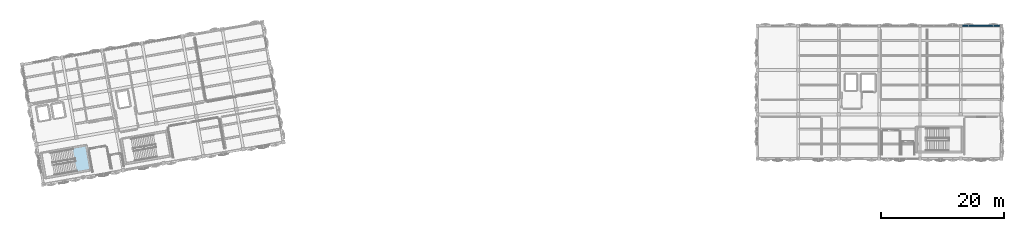
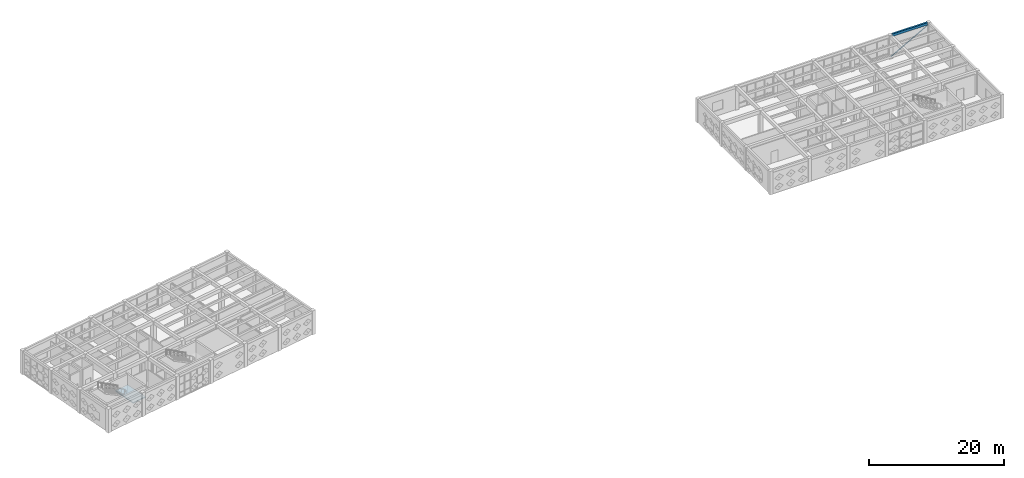
# One storey, part 20 of 36: 1 beam, 1 member, 1 slab, 1 element without a shape of its own.
"""IFC4 building model written with IfcOpenShell, lengths in metres."""

from ifc_helpers import new_model, si_unit, direction, frame, origin, origin_2d, place, context, subcontext, project, spatial, polyline, rectangle, hollow_rectangle, outline, extrude, material, layer, layer_set, material_profile, profile_set, type_object, element, aggregate, save


model = new_model("IFC4")

# Units and contexts
model_context = context("Model", 3, precision=1e-05, world=origin(), true_north=direction((0.0, 1.0)))
body_context = subcontext(model_context, "Body", "Model", "MODEL_VIEW")
ifc_project = project(units=[si_unit("LENGTHUNIT", "METRE"), si_unit("AREAUNIT", "SQUARE_METRE"), si_unit("VOLUMEUNIT", "CUBIC_METRE"), si_unit("PLANEANGLEUNIT", "RADIAN"), si_unit("MASSUNIT", "GRAM", prefix="KILO")], contexts=[model_context])

# Site, building, storey
site_placement = place(None, origin())
site = spatial("IfcSite", under=ifc_project, at=site_placement, CompositionType="ELEMENT")
building_placement = place(site_placement, origin())
building = spatial("IfcBuilding", under=site, at=building_placement, Name="Kharisveld Research Institute", CompositionType="ELEMENT")
storey_placement = place(building_placement, frame((0.0, 0.0, 27.60009765625)))
storey = spatial("IfcBuildingStorey", under=building, at=storey_placement, Name="L06", CompositionType="ELEMENT", Elevation=27.60009765625)

# Member
ifc_material_1 = material(Name="Steel S355J2H", Category="steel")
ifc_material_profile_1 = material_profile(ifc_material_1, hollow_rectangle(XDim=0.1201171875, YDim=0.1201171875, WallThickness=0.00634765625, at=origin_2d()))
ifc_profile_set_1 = profile_set([ifc_material_profile_1], Name="Steel S355J2H")
member_type = type_object("IfcMemberType", Name="BR_SHS120", PredefinedType="BRACE", material=ifc_profile_set_1)
member_placement = place(storey_placement, frame((154.300048828125, 60.800048828125, 0.199951171875), z_axis=(0.87447337202, 0.0, 0.485073521879), x_axis=(0.0, 1.0, 0.0)))
element("IfcMember", 1, at=member_placement, inside=storey, type_object=member_type, Name="MEM:V2:L06:BR_6_3", PredefinedType="BRACE", context=body_context, shape_type="SweptSolid", body=[
    extrude(hollow_rectangle(XDim=0.1201171875, YDim=0.1201171875, WallThickness=0.00634765625, at=origin_2d()), origin(), (0.0, 0.0, 1.0), 7.318603515625),
])

# Beam
ifc_material_2 = material(Name="Concrete C40/50", Category="concrete")
ifc_material_profile_2 = material_profile(ifc_material_2, rectangle(XDim=0.300048828125, YDim=0.449951171875, at=origin_2d()))
ifc_profile_set_2 = profile_set([ifc_material_profile_2], Name="Concrete C40/50")
beam_type = type_object("IfcBeamType", Name="SP_RC_300x450", PredefinedType="SPANDREL", material=ifc_profile_set_2)
beam_placement = place(storey_placement, frame((154.47509765625, 60.800048828125, 4.074951171875), z_axis=(1.0, 0.0, 0.0), x_axis=(0.0, 1.0, 0.0)))
element("IfcBeam", 2, at=beam_placement, inside=storey, type_object=beam_type, Name="BM:V2:L06:U6_3", PredefinedType="SPANDREL", context=body_context, shape_type="SweptSolid", body=[
    extrude(rectangle(XDim=0.300048828125, YDim=0.449951171875, at=origin_2d()), origin(), (0.0, 0.0, 1.0), 6.0498046875),
])

# Stair, slab
ifc_material_3 = material(Name="Concrete C40/50", Category="concrete")
stair_type = type_object("IfcStairType", Name="ST_EXIT_170", PredefinedType="TWO_STRAIGHT_RUN_STAIR", material=ifc_material_3)
stair_placement = place(storey_placement, origin())
stair = element("IfcStair", 3, at=stair_placement, inside=storey, type_object=stair_type, Name="STR:ST1:L06", PredefinedType="TWO_STRAIGHT_RUN_STAIR")
ifc_material_4 = material(Name="Concrete C40/50", Category="concrete")
ifc_layer = layer(ifc_material_4, 0.179931640625)
ifc_layer_set = layer_set([ifc_layer], Name="SL_LND_180")
slab_type = type_object("IfcSlabType", Name="SL_LND_180", PredefinedType="LANDING", material=ifc_layer_set)
slab_placement = place(storey_placement, frame((0.0, 0.0, 2.06982421875)))
slab = element("IfcSlab", 4, at=slab_placement, type_object=slab_type, Name="ST-01 landing 1", PredefinedType="LANDING", context=body_context, shape_type="SweptSolid", body=[
    extrude(outline(polyline([(10.54150390625, 36.936767578125), (12.909912109375, 37.3544921875), (12.194580078125, 41.411865234375), (9.826171875, 40.994140625), (10.54150390625, 36.936767578125)])), origin(), (0.0, 0.0, 1.0), 0.18017578125),
])
aggregate(stair, [slab])

save(model, "model.ifc")
